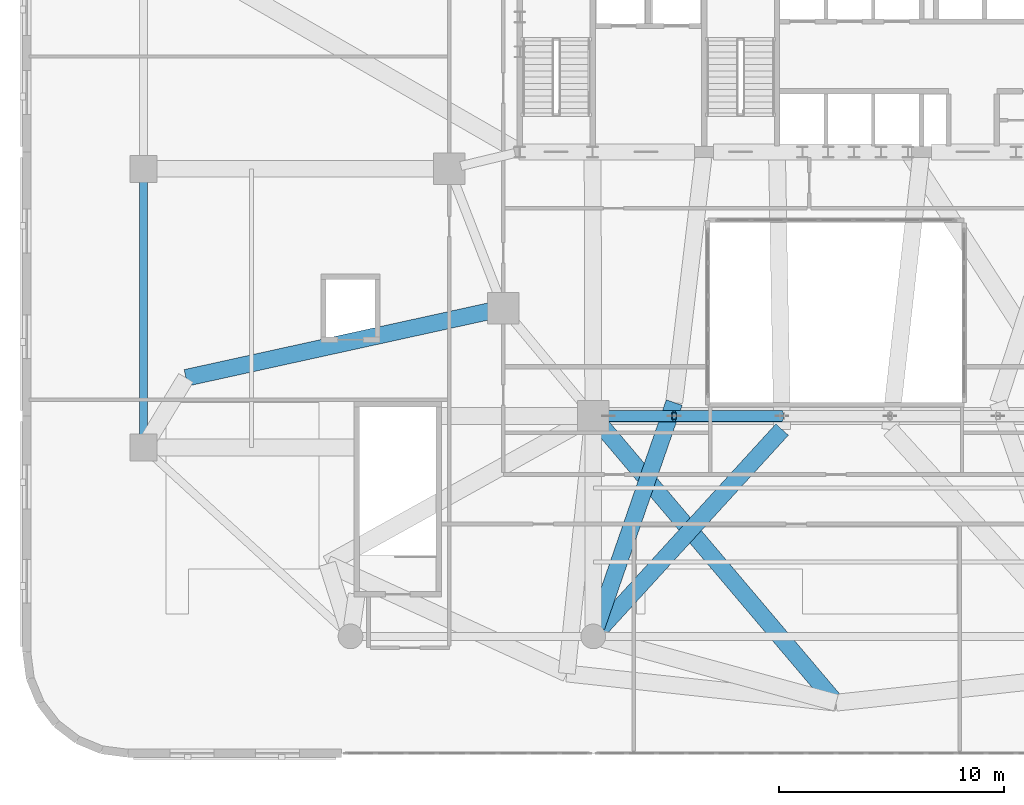
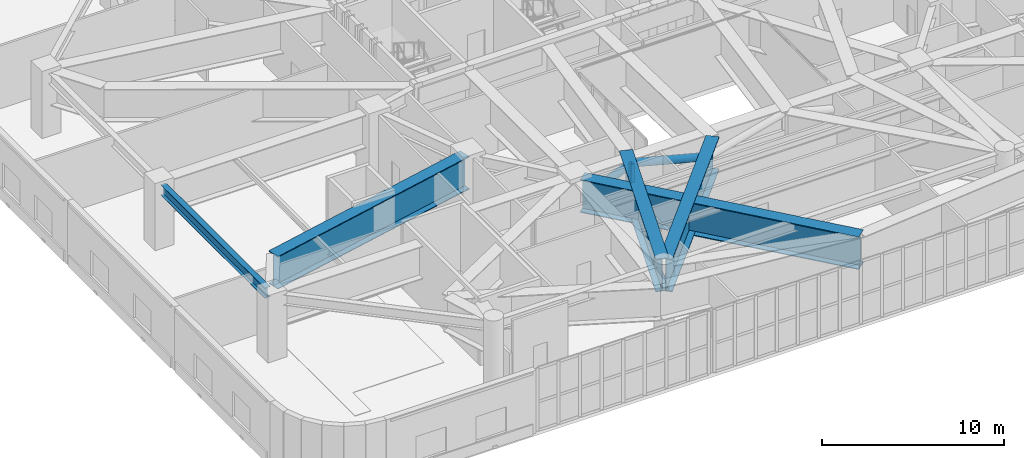
# One storey, part 4 of 26: 5 beams, 3 members.
"""IFC4 building model written with IfcOpenShell, lengths in metres."""

from ifc_helpers import new_model, si_unit, direction, frame, origin, origin_2d, place, context, subcontext, project, spatial, hollow_rectangle, hollow_circle, i_section, extrude, material, material_profile, profile_set, type_object, element, save


model = new_model("IFC4")

# Units and contexts
model_context = context("Model", 3, precision=1e-05, world=origin(), true_north=direction((0.0, 1.0)))
body_context = subcontext(model_context, "Body", "Model", "MODEL_VIEW")
ifc_project = project(units=[si_unit("LENGTHUNIT", "METRE"), si_unit("AREAUNIT", "SQUARE_METRE"), si_unit("VOLUMEUNIT", "CUBIC_METRE"), si_unit("PLANEANGLEUNIT", "RADIAN"), si_unit("MASSUNIT", "GRAM", prefix="KILO")], contexts=[model_context])

# Site, building, storey
site_placement = place(None, origin())
site = spatial("IfcSite", under=ifc_project, at=site_placement, CompositionType="ELEMENT")
building_placement = place(site_placement, origin())
building = spatial("IfcBuilding", under=site, at=building_placement, Name="Haldorwick Loom Tower", CompositionType="ELEMENT")
storey_placement = place(building_placement, frame((0.0, 0.0, 19.5)))
storey = spatial("IfcBuildingStorey", under=building, at=storey_placement, Name="L04", CompositionType="ELEMENT", Elevation=19.5)

# Beams
ifc_material_1 = material(Name="Steel CSA G40.21 350W", Category="steel")
ifc_material_profile_1 = material_profile(ifc_material_1, i_section(OverallWidth=0.35498046875, OverallDepth=0.695068359375, WebThickness=0.015380859375, FlangeThickness=0.02490234375, at=origin_2d()), Name="W690X217", Category="steel")
ifc_profile_set_1 = profile_set([ifc_material_profile_1], Name="Steel CSA G40.21 350W")
beam_type_1 = type_object("IfcBeamType", Name="STR-BM-SP690", PredefinedType="SPANDREL", material=ifc_profile_set_1)
beam_1_placement = place(storey_placement, frame((5.199951171875, 25.52001953125, 3.87255859375), z_axis=(0.0, -1.0, 0.0), x_axis=(1.0, 0.0, 0.0)))
element("IfcBeam", 1, at=beam_1_placement, inside=storey, type_object=beam_type_1, Name="L04 Podium Spandrel PSP-W2", PredefinedType="SPANDREL", context=body_context, shape_type="SweptSolid", body=[
    extrude(i_section(OverallWidth=0.35498046875, OverallDepth=0.695068359375, WebThickness=0.015380859375, FlangeThickness=0.02490234375, at=origin_2d()), origin(), (0.0, 0.0, 1.0), 11.43994140625),
])
ifc_material_2 = material(Name="Steel CSA G40.21 350WT", Category="steel")
ifc_material_profile_2 = material_profile(ifc_material_2, i_section(OverallWidth=0.75, OverallDepth=2.199951171875, WebThickness=0.030029296875, FlangeThickness=0.054931640625, at=origin_2d()), Name="WWF2200X750", Category="steel")
ifc_profile_set_2 = profile_set([ifc_material_profile_2], Name="Steel CSA G40.21 350WT")
beam_type_2 = type_object("IfcBeamType", Name="STR-BM-TG2200", PredefinedType="BEAM", material=ifc_profile_set_2)
beam_2_placement = place(storey_placement, frame((20.980224609375, 19.751708984375, 3.1201171875), z_axis=(-0.976739785566, -0.214428056218, 0.0), x_axis=(0.214428056218, -0.976739785566, 0.0)))
element("IfcBeam", 2, at=beam_2_placement, inside=storey, type_object=beam_type_2, Name="L04 Radial Transfer Girder 10 Inner", PredefinedType="BEAM", context=body_context, shape_type="SweptSolid", body=[
    extrude(i_section(OverallWidth=0.75, OverallDepth=2.199951171875, WebThickness=0.030029296875, FlangeThickness=0.054931640625, at=origin_2d()), origin(), (0.0, 0.0, 1.0), 14.228759765625),
])
beam_3_placement = place(storey_placement, frame((25.490966796875, 14.656494140625, 3.1201171875), z_axis=(0.646344672168, -0.763045584982, 0.0), x_axis=(0.763045584982, 0.646344672168, 0.0)))
element("IfcBeam", 3, at=beam_3_placement, inside=storey, type_object=beam_type_2, Name="L04 Radial Transfer Girder 13 Inner", PredefinedType="BEAM", context=body_context, shape_type="SweptSolid", body=[
    extrude(i_section(OverallWidth=0.75, OverallDepth=2.199951171875, WebThickness=0.030029296875, FlangeThickness=0.054931640625, at=origin_2d()), origin(), (0.0, 0.0, 1.0), 16.25927734375),
])
beam_4_placement = place(storey_placement, frame((28.800048828125, 15.60009765625, 3.1201171875), z_axis=(-0.327114535849, -0.94498469852, 0.0), x_axis=(0.94498469852, -0.327114535849, 0.0)))
element("IfcBeam", 4, at=beam_4_placement, inside=storey, type_object=beam_type_2, Name="L04 Concourse Transfer Cross Girder 1B", PredefinedType="BEAM", context=body_context, shape_type="SweptSolid", body=[
    extrude(i_section(OverallWidth=0.75, OverallDepth=2.199951171875, WebThickness=0.030029296875, FlangeThickness=0.054931640625, at=origin_2d()), origin(), (0.0, 0.0, 1.0), 10.5556640625),
])
beam_5_placement = place(storey_placement, frame((33.60009765625, 14.39990234375, 3.1201171875), z_axis=(-0.67427418488, -0.738481092245, 0.0), x_axis=(0.738481092245, -0.67427418488, 0.0)))
element("IfcBeam", 5, at=beam_5_placement, inside=storey, type_object=beam_type_2, Name="L04 Concourse Transfer Cross Girder 2B", PredefinedType="BEAM", context=body_context, shape_type="SweptSolid", body=[
    extrude(i_section(OverallWidth=0.75, OverallDepth=2.199951171875, WebThickness=0.030029296875, FlangeThickness=0.054931640625, at=origin_2d()), origin(), (0.0, 0.0, 1.0), 12.008056640625),
])

# Members
ifc_material_profile_3 = material_profile(ifc_material_1, hollow_circle(Radius=0.25390625, WallThickness=0.015869140625, at=origin_2d()), Name="HSS508X16", Category="steel")
ifc_profile_set_3 = profile_set([ifc_material_profile_3], Name="Steel CSA G40.21 350W")
member_type_1 = type_object("IfcMemberType", Name="STR-MEM-BR508", PredefinedType="BRACE", material=ifc_profile_set_3)
member_1_placement = place(storey_placement, frame((25.8798828125, 15.0, 2.47998046875), z_axis=(0.918173436361, 0.0, 0.396178672775), x_axis=(0.0, 1.0, 0.0)))
element("IfcMember", 6, at=member_1_placement, inside=storey, type_object=member_type_1, Name="L04 Station Transfer Truss Web Diagonal 1", PredefinedType="BRACE", context=body_context, shape_type="SweptSolid", body=[
    extrude(hollow_circle(Radius=0.25390625, WallThickness=0.015869140625, at=origin_2d()), origin(), (0.0, 0.0, 1.0), 3.180419921875),
])
member_2_placement = place(storey_placement, frame((28.800048828125, 15.0, 3.739990234375), z_axis=(0.967231116396, 0.0, -0.253897553111), x_axis=(0.0, 1.0, 0.0)))
element("IfcMember", 7, at=member_2_placement, inside=storey, type_object=member_type_1, Name="L04 Station Transfer Truss Web Diagonal 2", PredefinedType="BRACE", context=body_context, shape_type="SweptSolid", body=[
    extrude(hollow_circle(Radius=0.25390625, WallThickness=0.015869140625, at=origin_2d()), origin(), (0.0, 0.0, 1.0), 4.962646484375),
])
ifc_material_profile_4 = material_profile(ifc_material_1, hollow_rectangle(XDim=0.203125, YDim=0.3046875, WallThickness=0.0126953125, at=origin_2d()), Name="HSS305X203X13", Category="steel")
ifc_profile_set_4 = profile_set([ifc_material_profile_4], Name="Steel CSA G40.21 350W")
member_type_2 = type_object("IfcMemberType", Name="STR-MEM-ST305R", PredefinedType="STRUT", material=ifc_profile_set_4)
member_3_placement = place(storey_placement, frame((28.800048828125, 15.0, 2.47998046875), z_axis=(0.0, 0.0, 1.0), x_axis=(1.0, 0.0, 0.0)))
element("IfcMember", 8, at=member_3_placement, inside=storey, type_object=member_type_2, Name="L04 Station Transfer Truss Post 1", PredefinedType="STRUT", context=body_context, shape_type="SweptSolid", body=[
    extrude(hollow_rectangle(XDim=0.203125, YDim=0.3046875, WallThickness=0.0126953125, at=origin_2d()), origin(), (0.0, 0.0, 1.0), 1.260009765625),
])

save(model, "model.ifc")
